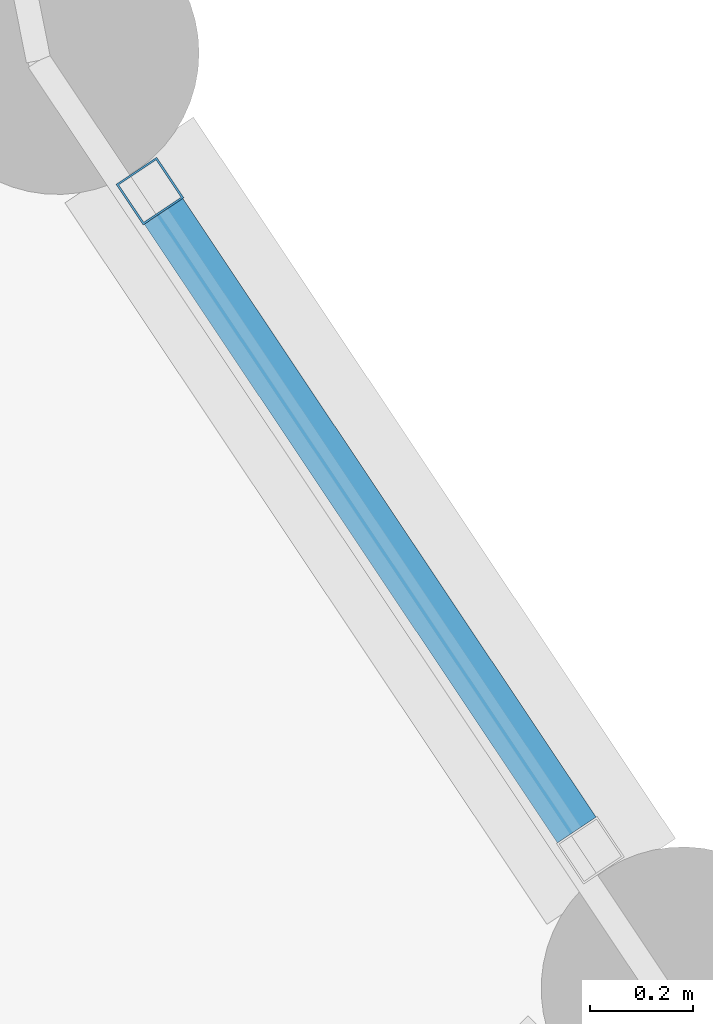
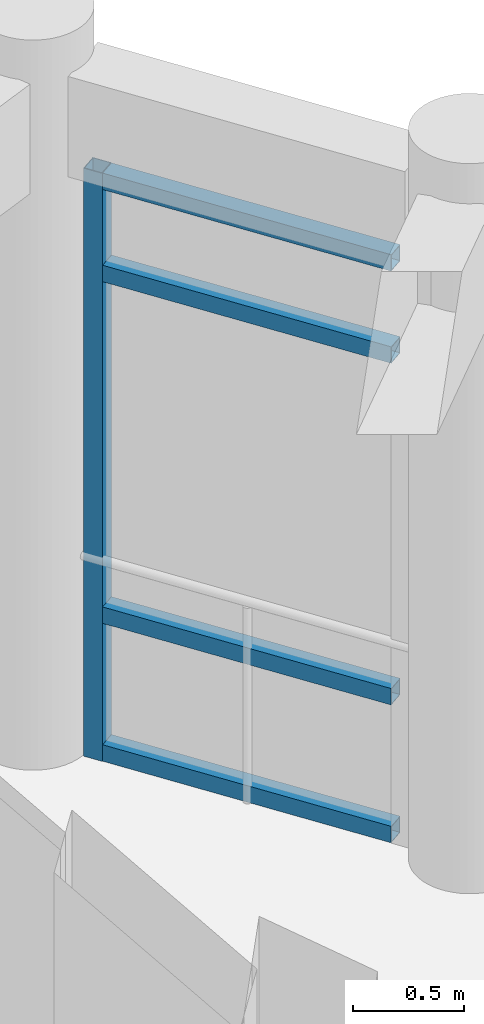
# One storey, part 8 of 112: 5 members, 1 element without a shape of its own.
"""IFC4 building model written with IfcOpenShell, lengths in metres."""

from ifc_helpers import new_model, si_unit, direction, frame, origin, origin_2d, place, context, subcontext, project, spatial, hollow_rectangle, extrude, material, material_profile, profile_set, type_object, element, aggregate, save


model = new_model("IFC4")

# Units and contexts
model_context = context("Model", 3, precision=1e-05, world=origin(), true_north=direction((0.0, 1.0)))
body_context = subcontext(model_context, "Body", "Model", "MODEL_VIEW")
ifc_project = project(units=[si_unit("LENGTHUNIT", "METRE"), si_unit("AREAUNIT", "SQUARE_METRE"), si_unit("VOLUMEUNIT", "CUBIC_METRE"), si_unit("PLANEANGLEUNIT", "RADIAN"), si_unit("MASSUNIT", "GRAM", prefix="KILO")], contexts=[model_context])

# Site, building, storey
site_placement = place(None, origin())
site = spatial("IfcSite", under=ifc_project, at=site_placement, CompositionType="ELEMENT")
building_placement = place(site_placement, origin())
building = spatial("IfcBuilding", under=site, at=building_placement, Name="Celadon Cloister-Ring School", CompositionType="ELEMENT")
storey_placement = place(building_placement, frame((0.0, 0.0, 8.5)))
storey = spatial("IfcBuildingStorey", under=building, at=storey_placement, Name="L02", CompositionType="ELEMENT", Elevation=8.5)

# Curtain wall, members
ifc_material_1 = material(Name="Aluminium EN AW-6063 T6", Category="aluminium")
curtain_wall_type = type_object("IfcCurtainWallType", Name="CW-04", PredefinedType="USERDEFINED", material=ifc_material_1)
curtain_wall_placement = place(storey_placement, origin())
curtain_wall = element("IfcCurtainWall", 1, at=curtain_wall_placement, inside=storey, type_object=curtain_wall_type, Name="Curtain Wall 0158", ObjectType="CURTAIN WALL", PredefinedType="USERDEFINED")
ifc_material_2 = material(Name="Aluminium EN AW-6063 T6", Category="aluminium")
ifc_material_profile_1 = material_profile(ifc_material_2, hollow_rectangle(XDim=0.094970703125, YDim=0.094970703125, WallThickness=0.00390625, at=origin_2d()), Name="RHS95X95X4")
ifc_profile_set_1 = profile_set([ifc_material_profile_1], Name="Aluminium EN AW-6063 T6")
member_type_1 = type_object("IfcMemberType", Name="CM-02", PredefinedType="MULLION", material=ifc_profile_set_1)
member_1_placement = place(storey_placement, frame((15.205322265625, 17.588623046875, 0.0), z_axis=(0.0, 0.0, 1.0), x_axis=(0.831485091394, 0.555547066224, 0.0)))
member_1 = element("IfcMember", 2, at=member_1_placement, type_object=member_type_1, Name="CW-04 mullion 1", PredefinedType="MULLION", context=body_context, shape_type="SweptSolid", body=[
    extrude(hollow_rectangle(XDim=0.094970703125, YDim=0.094970703125, WallThickness=0.00390625, at=origin_2d()), origin(), (0.0, 0.0, 1.0), 3.221923828125),
])
ifc_material_3 = material(Name="Aluminium EN AW-6063 T6", Category="aluminium")
ifc_material_profile_2 = material_profile(ifc_material_3, hollow_rectangle(XDim=0.090087890625, YDim=0.090087890625, WallThickness=0.00390625, at=origin_2d()), Name="RHS90X90X4")
ifc_profile_set_2 = profile_set([ifc_material_profile_2], Name="Aluminium EN AW-6063 T6")
member_type_2 = type_object("IfcMemberType", Name="CTM-02", PredefinedType="USERDEFINED", material=ifc_profile_set_2)
member_2_placement = place(storey_placement, frame((15.231689453125, 17.549072265625, 0.044921875), z_axis=(0.555518951009, -0.831503875559, 0.0), x_axis=(0.831503875559, 0.555518951009, 0.0)))
member_2 = element("IfcMember", 3, at=member_2_placement, type_object=member_type_2, Name="CW-04 transom 1.1", ObjectType="TRANSOM", PredefinedType="USERDEFINED", context=body_context, shape_type="SweptSolid", body=[
    extrude(hollow_rectangle(XDim=0.090087890625, YDim=0.090087890625, WallThickness=0.00390625, at=origin_2d()), origin(), (0.0, 0.0, 1.0), 1.444580078125),
])
member_3_placement = place(storey_placement, frame((15.231689453125, 17.549072265625, 0.800048828125), z_axis=(0.555518951009, -0.831503875559, 0.0), x_axis=(0.831503875559, 0.555518951009, 0.0)))
member_3 = element("IfcMember", 4, at=member_3_placement, type_object=member_type_2, Name="CW-04 transom 1.2", ObjectType="TRANSOM", PredefinedType="USERDEFINED", context=body_context, shape_type="SweptSolid", body=[
    extrude(hollow_rectangle(XDim=0.090087890625, YDim=0.090087890625, WallThickness=0.00390625, at=origin_2d()), origin(), (0.0, 0.0, 1.0), 1.444580078125),
])
member_4_placement = place(storey_placement, frame((15.231689453125, 17.549072265625, 2.672119140625), z_axis=(0.555518951009, -0.831503875559, 0.0), x_axis=(0.831503875559, 0.555518951009, 0.0)))
member_4 = element("IfcMember", 5, at=member_4_placement, type_object=member_type_2, Name="CW-04 transom 1.3", ObjectType="TRANSOM", PredefinedType="USERDEFINED", context=body_context, shape_type="SweptSolid", body=[
    extrude(hollow_rectangle(XDim=0.090087890625, YDim=0.090087890625, WallThickness=0.00390625, at=origin_2d()), origin(), (0.0, 0.0, 1.0), 1.444580078125),
])
member_5_placement = place(storey_placement, frame((15.231689453125, 17.549072265625, 3.177001953125), z_axis=(0.555518951009, -0.831503875559, 0.0), x_axis=(0.831503875559, 0.555518951009, 0.0)))
member_5 = element("IfcMember", 6, at=member_5_placement, type_object=member_type_2, Name="CW-04 transom 1.4", ObjectType="TRANSOM", PredefinedType="USERDEFINED", context=body_context, shape_type="SweptSolid", body=[
    extrude(hollow_rectangle(XDim=0.090087890625, YDim=0.090087890625, WallThickness=0.00390625, at=origin_2d()), origin(), (0.0, 0.0, 1.0), 1.444580078125),
])
aggregate(curtain_wall, [member_1, member_2, member_3, member_4, member_5])

save(model, "model.ifc")
